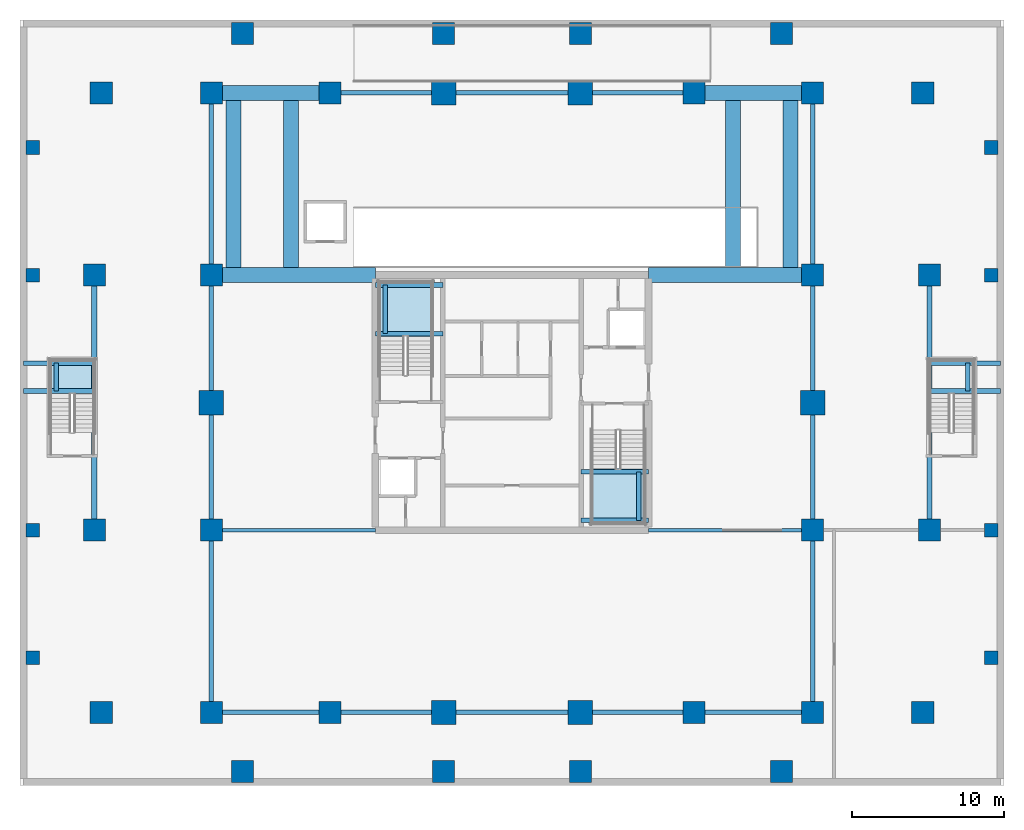
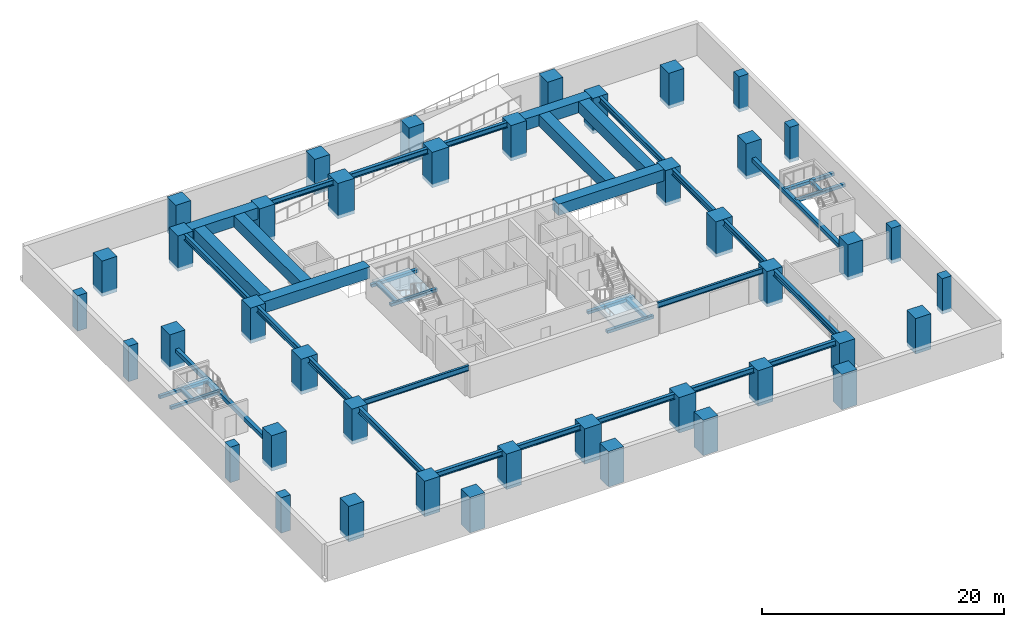
# One storey, part 1 of 10: 42 columns, 40 beams, 3 slabs, 3 elements without a shape of their own.
"""IFC4 building model written with IfcOpenShell, lengths in metres."""

from ifc_helpers import new_model, si_unit, direction, frame, origin, origin_2d, place, context, subcontext, project, spatial, polyline, rectangle, i_section, outline, extrude, source, transform, mapped, material, layer, layer_set, material_profile, profile_set, type_object, element, aggregate, save


model = new_model("IFC4")

# Units and contexts
model_context = context("Model", 3, precision=1e-05, world=origin(), true_north=direction((0.0, 1.0)))
body_context = subcontext(model_context, "Body", "Model", "MODEL_VIEW")
ifc_project = project(units=[si_unit("LENGTHUNIT", "METRE"), si_unit("AREAUNIT", "SQUARE_METRE"), si_unit("VOLUMEUNIT", "CUBIC_METRE"), si_unit("PLANEANGLEUNIT", "RADIAN"), si_unit("MASSUNIT", "GRAM", prefix="KILO")], contexts=[model_context])

# Site, building, storey
site_placement = place(None, origin())
site = spatial("IfcSite", under=ifc_project, at=site_placement, CompositionType="ELEMENT")
building_placement = place(site_placement, origin())
building = spatial("IfcBuilding", under=site, at=building_placement, Name="Serunith Strait Residences", CompositionType="ELEMENT")
storey_placement = place(building_placement, frame((0.0, 0.0, -3.60009765625)))
storey = spatial("IfcBuildingStorey", under=building, at=storey_placement, Name="B01", CompositionType="ELEMENT", Elevation=-3.60009765625)

# Columns
ifc_material_1 = material(Name="Concrete C70/85", Category="concrete")
ifc_material_profile_1 = material_profile(ifc_material_1, rectangle(XDim=0.89990234375, YDim=0.89990234375, at=origin_2d()), Name="RC 900x900")
ifc_profile_set_1 = profile_set([ifc_material_profile_1], Name="Concrete C70/85")
column_type_1 = type_object("IfcColumnType", Name="COL-RC-900", PredefinedType="COLUMN", material=ifc_profile_set_1)
shared_shape_1 = source(origin(), body_context, "Body", "SweptSolid", [
    extrude(rectangle(XDim=0.89990234375, YDim=0.89990234375, at=origin_2d()), origin(), (0.0, 0.0, 1.0), 3.580078125),
])
for number, where, z_axis, x_axis, name in (
    (1, (0.85009765625, 8.39990234375, -0.35986328125), (0.0, 0.0, 1.0), (1.0, 0.0, 0.0), "B01 Podium Column PC-W1"),
    (2, (0.85009765625, 16.800048828125, -0.35986328125), (0.0, 0.0, 1.0), (1.0, 0.0, 0.0), "B01 Podium Column PC-W2"),
    (3, (0.85009765625, 33.60009765625, -0.35986328125), (0.0, 0.0, 1.0), (1.0, 0.0, 0.0), "B01 Podium Column PC-W3"),
    (4, (0.85009765625, 42.0, -0.35986328125), (0.0, 0.0, 1.0), (1.0, 0.0, 0.0), "B01 Podium Column PC-W4"),
    (5, (63.949951171875, 8.39990234375, -0.35986328125), (0.0, 0.0, 1.0), (1.0, 0.0, 0.0), "B01 Podium Column PC-E1"),
    (6, (63.949951171875, 16.800048828125, -0.35986328125), (0.0, 0.0, 1.0), (1.0, 0.0, 0.0), "B01 Podium Column PC-E2"),
    (7, (63.949951171875, 33.60009765625, -0.35986328125), (0.0, 0.0, 1.0), (1.0, 0.0, 0.0), "B01 Podium Column PC-E3"),
    (8, (63.949951171875, 42.0, -0.35986328125), (0.0, 0.0, 1.0), (1.0, 0.0, 0.0), "B01 Podium Column PC-E4"),
):
    element("IfcColumn", number, at=place(storey_placement, frame(where, z_axis=z_axis, x_axis=x_axis)), inside=storey, type_object=column_type_1, Name=name, PredefinedType="COLUMN", context=body_context, shape_type="MappedRepresentation", body=[
        mapped(shared_shape_1, transform((0.0, 0.0, 0.0), scale=1.0)),
    ])
ifc_material_2 = material(Name="Concrete C90/105", Category="concrete")
ifc_material_profile_2 = material_profile(ifc_material_2, rectangle(XDim=1.449951171875, YDim=1.449951171875, at=origin_2d()), Name="RC 1450x1450")
ifc_profile_set_2 = profile_set([ifc_material_profile_2], Name="Concrete C90/105")
column_type_2 = type_object("IfcColumnType", Name="COL-RC-1450", PredefinedType="COLUMN", material=ifc_profile_set_2)
shared_shape_2 = source(origin(), body_context, "Body", "SweptSolid", [
    extrude(rectangle(XDim=1.449951171875, YDim=1.449951171875, at=origin_2d()), origin(), (0.0, 0.0, 1.0), 3.580078125),
])
for number, where, z_axis, x_axis, name in (
    (9, (12.60009765625, 4.800048828125, -0.35986328125), (0.0, 0.0, 1.0), (1.0, 0.0, 0.0), "B01 Podium Column PC-S1"),
    (10, (20.39990234375, 4.800048828125, -0.35986328125), (0.0, 0.0, 1.0), (1.0, 0.0, 0.0), "B01 Podium Column PC-S2"),
    (11, (44.39990234375, 4.800048828125, -0.35986328125), (0.0, 0.0, 1.0), (1.0, 0.0, 0.0), "B01 Podium Column PC-S5"),
    (12, (52.199951171875, 4.800048828125, -0.35986328125), (0.0, 0.0, 1.0), (1.0, 0.0, 0.0), "B01 Podium Column PC-S6"),
    (13, (12.60009765625, 45.60009765625, -0.35986328125), (0.0, 0.0, 1.0), (1.0, 0.0, 0.0), "B01 Podium Column PC-N1"),
    (14, (20.39990234375, 45.60009765625, -0.35986328125), (0.0, 0.0, 1.0), (1.0, 0.0, 0.0), "B01 Podium Column PC-N2"),
    (15, (44.39990234375, 45.60009765625, -0.35986328125), (0.0, 0.0, 1.0), (1.0, 0.0, 0.0), "B01 Podium Column PC-N5"),
    (16, (52.199951171875, 45.60009765625, -0.35986328125), (0.0, 0.0, 1.0), (1.0, 0.0, 0.0), "B01 Podium Column PC-N6"),
    (17, (12.60009765625, 16.800048828125, -0.35986328125), (0.0, 0.0, 1.0), (1.0, 0.0, 0.0), "B01 Podium Column PC-MW1"),
    (18, (12.60009765625, 33.60009765625, -0.35986328125), (0.0, 0.0, 1.0), (1.0, 0.0, 0.0), "B01 Podium Column PC-MW3"),
    (19, (52.199951171875, 16.800048828125, -0.35986328125), (0.0, 0.0, 1.0), (1.0, 0.0, 0.0), "B01 Podium Column PC-ME1"),
    (20, (52.199951171875, 33.60009765625, -0.35986328125), (0.0, 0.0, 1.0), (1.0, 0.0, 0.0), "B01 Podium Column PC-ME3"),
    (21, (14.64990234375, 0.89990234375, -0.35986328125), (0.0, 0.0, 1.0), (1.0, 0.0, 0.0), "B01 Podium Column PC-RS1"),
    (22, (27.89990234375, 0.89990234375, -0.35986328125), (0.0, 0.0, 1.0), (1.0, 0.0, 0.0), "B01 Podium Column PC-RS2"),
    (23, (36.89990234375, 0.89990234375, -0.35986328125), (0.0, 0.0, 1.0), (1.0, 0.0, 0.0), "B01 Podium Column PC-RS3"),
    (24, (50.14990234375, 0.89990234375, -0.35986328125), (0.0, 0.0, 1.0), (1.0, 0.0, 0.0), "B01 Podium Column PC-RS4"),
    (25, (14.64990234375, 49.5, -0.35986328125), (0.0, 0.0, 1.0), (1.0, 0.0, 0.0), "B01 Podium Column PC-RN1"),
    (26, (27.89990234375, 49.5, -0.35986328125), (0.0, 0.0, 1.0), (1.0, 0.0, 0.0), "B01 Podium Column PC-RN2"),
    (27, (36.89990234375, 49.5, -0.35986328125), (0.0, 0.0, 1.0), (1.0, 0.0, 0.0), "B01 Podium Column PC-RN3"),
    (28, (50.14990234375, 49.5, -0.35986328125), (0.0, 0.0, 1.0), (1.0, 0.0, 0.0), "B01 Podium Column PC-RN4"),
    (29, (4.89990234375, 16.800048828125, -0.35986328125), (0.0, 0.0, 1.0), (1.0, 0.0, 0.0), "B01 Podium Column PC-RW1"),
    (30, (4.89990234375, 33.60009765625, -0.35986328125), (0.0, 0.0, 1.0), (1.0, 0.0, 0.0), "B01 Podium Column PC-RW2"),
    (31, (59.89990234375, 16.800048828125, -0.35986328125), (0.0, 0.0, 1.0), (1.0, 0.0, 0.0), "B01 Podium Column PC-RE1"),
    (32, (59.89990234375, 33.60009765625, -0.35986328125), (0.0, 0.0, 1.0), (1.0, 0.0, 0.0), "B01 Podium Column PC-RE2"),
    (33, (5.35009765625, 4.800048828125, -0.35986328125), (0.0, 0.0, 1.0), (1.0, 0.0, 0.0), "B01 Podium Column PC-RWS"),
    (34, (5.35009765625, 45.60009765625, -0.35986328125), (0.0, 0.0, 1.0), (1.0, 0.0, 0.0), "B01 Podium Column PC-RWN"),
    (35, (59.449951171875, 4.800048828125, -0.35986328125), (0.0, 0.0, 1.0), (1.0, 0.0, 0.0), "B01 Podium Column PC-RES"),
    (36, (59.449951171875, 45.60009765625, -0.35986328125), (0.0, 0.0, 1.0), (1.0, 0.0, 0.0), "B01 Podium Column PC-REN"),
):
    element("IfcColumn", number, at=place(storey_placement, frame(where, z_axis=z_axis, x_axis=x_axis)), inside=storey, type_object=column_type_2, Name=name, PredefinedType="COLUMN", context=body_context, shape_type="MappedRepresentation", body=[
        mapped(shared_shape_2, transform((0.0, 0.0, 0.0), scale=1.0)),
    ])
ifc_material_profile_3 = material_profile(ifc_material_2, rectangle(XDim=1.60009765625, YDim=1.60009765625, at=origin_2d()), Name="RC 1600x1600")
ifc_profile_set_3 = profile_set([ifc_material_profile_3], Name="Concrete C90/105")
column_type_3 = type_object("IfcColumnType", Name="COL-RC-1600", PredefinedType="COLUMN", material=ifc_profile_set_3)
shared_shape_3 = source(origin(), body_context, "Body", "SweptSolid", [
    extrude(rectangle(XDim=1.60009765625, YDim=1.60009765625, at=origin_2d()), origin(), (0.0, 0.0, 1.0), 3.580078125),
])
for number, where, z_axis, x_axis, name in (
    (37, (27.89990234375, 4.800048828125, -0.35986328125), (0.0, 0.0, 1.0), (1.0, 0.0, 0.0), "B01 Podium Column PC-S3"),
    (38, (36.89990234375, 4.800048828125, -0.35986328125), (0.0, 0.0, 1.0), (1.0, 0.0, 0.0), "B01 Podium Column PC-S4"),
    (39, (27.89990234375, 45.60009765625, -0.35986328125), (0.0, 0.0, 1.0), (1.0, 0.0, 0.0), "B01 Podium Column PC-N3"),
    (40, (36.89990234375, 45.60009765625, -0.35986328125), (0.0, 0.0, 1.0), (1.0, 0.0, 0.0), "B01 Podium Column PC-N4"),
    (41, (12.60009765625, 25.199951171875, -0.35986328125), (0.0, 0.0, 1.0), (1.0, 0.0, 0.0), "B01 Podium Column PC-MW2"),
    (42, (52.199951171875, 25.199951171875, -0.35986328125), (0.0, 0.0, 1.0), (1.0, 0.0, 0.0), "B01 Podium Column PC-ME2"),
):
    element("IfcColumn", number, at=place(storey_placement, frame(where, z_axis=z_axis, x_axis=x_axis)), inside=storey, type_object=column_type_3, Name=name, PredefinedType="COLUMN", context=body_context, shape_type="MappedRepresentation", body=[
        mapped(shared_shape_3, transform((0.0, 0.0, 0.0), scale=1.0)),
    ])

# Beams
ifc_material_3 = material(Name="Steel S355J2", Category="steel")
ifc_material_profile_4 = material_profile(ifc_material_3, i_section(OverallWidth=0.300048828125, OverallDepth=0.550048828125, WebThickness=0.014892578125, FlangeThickness=0.029052734375, FilletRadius=0.027099609375, at=origin_2d()), Name="HEB 550")
ifc_profile_set_4 = profile_set([ifc_material_profile_4], Name="Steel S355J2")
beam_type_1 = type_object("IfcBeamType", Name="BM-HEB550", PredefinedType="BEAM", material=ifc_profile_set_4)
shared_shape_4 = source(origin(), body_context, "Body", "SweptSolid", [
    extrude(i_section(OverallWidth=0.300048828125, OverallDepth=0.550048828125, WebThickness=0.014892578125, FlangeThickness=0.029052734375, FilletRadius=0.027099609375, at=origin_2d()), origin(), (0.0, 0.0, 1.0), 7.7998046875),
])
beam_1_placement = place(storey_placement, frame((12.60009765625, 4.800048828125, 2.942138671875), z_axis=(1.0, 0.0, 0.0), x_axis=(0.0, 1.0, 0.0)))
element("IfcBeam", 43, at=beam_1_placement, inside=storey, type_object=beam_type_1, Name="BM-B01-01", PredefinedType="BEAM", context=body_context, shape_type="MappedRepresentation", body=[
    mapped(shared_shape_4, transform((0.0, 0.0, 0.0), scale=1.0)),
])
shared_shape_5 = source(origin(), body_context, "Body", "SweptSolid", [
    extrude(i_section(OverallWidth=0.300048828125, OverallDepth=0.550048828125, WebThickness=0.014892578125, FlangeThickness=0.029052734375, FilletRadius=0.027099609375, at=origin_2d()), origin(), (0.0, 0.0, 1.0), 7.5),
])
for number, where, z_axis, x_axis, name in (
    (44, (20.39990234375, 4.800048828125, 2.942138671875), (1.0, 0.0, 0.0), (0.0, 1.0, 0.0), "BM-B01-02"),
    (45, (36.89990234375, 4.800048828125, 2.942138671875), (1.0, 0.0, 0.0), (0.0, 1.0, 0.0), "BM-B01-04"),
    (46, (20.39990234375, 45.60009765625, 2.942138671875), (1.0, 0.0, 0.0), (0.0, 1.0, 0.0), "BM-B01-07"),
    (47, (36.89990234375, 45.60009765625, 2.942138671875), (1.0, 0.0, 0.0), (0.0, 1.0, 0.0), "BM-B01-09"),
):
    element("IfcBeam", number, at=place(storey_placement, frame(where, z_axis=z_axis, x_axis=x_axis)), inside=storey, type_object=beam_type_1, Name=name, PredefinedType="BEAM", context=body_context, shape_type="MappedRepresentation", body=[
        mapped(shared_shape_5, transform((0.0, 0.0, 0.0), scale=1.0)),
    ])
shared_shape_6 = source(origin(), body_context, "Body", "SweptSolid", [
    extrude(i_section(OverallWidth=0.300048828125, OverallDepth=0.550048828125, WebThickness=0.014892578125, FlangeThickness=0.029052734375, FilletRadius=0.027099609375, at=origin_2d()), origin(), (0.0, 0.0, 1.0), 9.0),
])
for number, where, z_axis, x_axis, name in (
    (48, (27.89990234375, 4.800048828125, 2.942138671875), (1.0, 0.0, 0.0), (0.0, 1.0, 0.0), "BM-B01-03"),
    (49, (27.89990234375, 45.60009765625, 2.942138671875), (1.0, 0.0, 0.0), (0.0, 1.0, 0.0), "BM-B01-08"),
):
    element("IfcBeam", number, at=place(storey_placement, frame(where, z_axis=z_axis, x_axis=x_axis)), inside=storey, type_object=beam_type_1, Name=name, PredefinedType="BEAM", context=body_context, shape_type="MappedRepresentation", body=[
        mapped(shared_shape_6, transform((0.0, 0.0, 0.0), scale=1.0)),
    ])
shared_shape_7 = source(origin(), body_context, "Body", "SweptSolid", [
    extrude(i_section(OverallWidth=0.300048828125, OverallDepth=0.550048828125, WebThickness=0.014892578125, FlangeThickness=0.029052734375, FilletRadius=0.027099609375, at=origin_2d()), origin(), (0.0, 0.0, 1.0), 7.800048828125),
])
beam_2_placement = place(storey_placement, frame((44.39990234375, 4.800048828125, 2.942138671875), z_axis=(1.0, 0.0, 0.0), x_axis=(0.0, 1.0, 0.0)))
element("IfcBeam", 50, at=beam_2_placement, inside=storey, type_object=beam_type_1, Name="BM-B01-05", PredefinedType="BEAM", context=body_context, shape_type="MappedRepresentation", body=[
    mapped(shared_shape_7, transform((0.0, 0.0, 0.0), scale=1.0)),
])
ifc_material_profile_5 = material_profile(ifc_material_3, i_section(OverallWidth=0.300048828125, OverallDepth=0.60009765625, WebThickness=0.015380859375, FlangeThickness=0.030029296875, FilletRadius=0.027099609375, at=origin_2d()), Name="HEB 600")
ifc_profile_set_5 = profile_set([ifc_material_profile_5], Name="Steel S355J2")
beam_type_2 = type_object("IfcBeamType", Name="BM-HEB600", PredefinedType="BEAM", material=ifc_profile_set_5)
shared_shape_8 = source(origin(), body_context, "Body", "SweptSolid", [
    extrude(i_section(OverallWidth=0.300048828125, OverallDepth=0.60009765625, WebThickness=0.015380859375, FlangeThickness=0.030029296875, FilletRadius=0.027099609375, at=origin_2d()), origin(), (0.0, 0.0, 1.0), 12.0),
])
for number, where, z_axis, x_axis, name in (
    (51, (12.60009765625, 4.800048828125, 2.9169921875), (0.0, 1.0, 0.0), (-1.0, 0.0, 0.0), "BM-B01-11"),
    (52, (12.60009765625, 33.60009765625, 2.9169921875), (0.0, 1.0, 0.0), (-1.0, 0.0, 0.0), "BM-B01-14"),
    (53, (52.199951171875, 4.800048828125, 2.9169921875), (0.0, 1.0, 0.0), (-1.0, 0.0, 0.0), "BM-B01-15"),
    (54, (52.199951171875, 33.60009765625, 2.9169921875), (0.0, 1.0, 0.0), (-1.0, 0.0, 0.0), "BM-B01-18"),
):
    element("IfcBeam", number, at=place(storey_placement, frame(where, z_axis=z_axis, x_axis=x_axis)), inside=storey, type_object=beam_type_2, Name=name, PredefinedType="BEAM", context=body_context, shape_type="MappedRepresentation", body=[
        mapped(shared_shape_8, transform((0.0, 0.0, 0.0), scale=1.0)),
    ])
shared_shape_9 = source(origin(), body_context, "Body", "SweptSolid", [
    extrude(i_section(OverallWidth=0.300048828125, OverallDepth=0.60009765625, WebThickness=0.015380859375, FlangeThickness=0.030029296875, FilletRadius=0.027099609375, at=origin_2d()), origin(), (0.0, 0.0, 1.0), 8.39990234375),
])
for number, where, z_axis, x_axis, name in (
    (55, (12.60009765625, 16.800048828125, 2.9169921875), (0.0, 1.0, 0.0), (-1.0, 0.0, 0.0), "BM-B01-12"),
    (56, (52.199951171875, 16.800048828125, 2.9169921875), (0.0, 1.0, 0.0), (-1.0, 0.0, 0.0), "BM-B01-16"),
):
    element("IfcBeam", number, at=place(storey_placement, frame(where, z_axis=z_axis, x_axis=x_axis)), inside=storey, type_object=beam_type_2, Name=name, PredefinedType="BEAM", context=body_context, shape_type="MappedRepresentation", body=[
        mapped(shared_shape_9, transform((0.0, 0.0, 0.0), scale=1.0)),
    ])
shared_shape_10 = source(origin(), body_context, "Body", "SweptSolid", [
    extrude(i_section(OverallWidth=0.300048828125, OverallDepth=0.60009765625, WebThickness=0.015380859375, FlangeThickness=0.030029296875, FilletRadius=0.027099609375, at=origin_2d()), origin(), (0.0, 0.0, 1.0), 8.400146484375),
])
for number, where, z_axis, x_axis, name in (
    (57, (12.60009765625, 25.199951171875, 2.9169921875), (0.0, 1.0, 0.0), (-1.0, 0.0, 0.0), "BM-B01-13"),
    (58, (52.199951171875, 25.199951171875, 2.9169921875), (0.0, 1.0, 0.0), (-1.0, 0.0, 0.0), "BM-B01-17"),
):
    element("IfcBeam", number, at=place(storey_placement, frame(where, z_axis=z_axis, x_axis=x_axis)), inside=storey, type_object=beam_type_2, Name=name, PredefinedType="BEAM", context=body_context, shape_type="MappedRepresentation", body=[
        mapped(shared_shape_10, transform((0.0, 0.0, 0.0), scale=1.0)),
    ])
ifc_material_profile_6 = material_profile(ifc_material_3, i_section(OverallWidth=0.2099609375, OverallDepth=0.550048828125, WebThickness=0.010986328125, FlangeThickness=0.01708984375, FilletRadius=0.02392578125, at=origin_2d()), Name="IPE 550")
ifc_profile_set_6 = profile_set([ifc_material_profile_6], Name="Steel S355J2")
beam_type_3 = type_object("IfcBeamType", Name="BM-IPE550", PredefinedType="BEAM", material=ifc_profile_set_6)
shared_shape_11 = source(origin(), body_context, "Body", "SweptSolid", [
    extrude(i_section(OverallWidth=0.2099609375, OverallDepth=0.550048828125, WebThickness=0.010986328125, FlangeThickness=0.01708984375, FilletRadius=0.02392578125, at=origin_2d()), origin(), (0.0, 0.0, 1.0), 10.7998046875),
])
beam_3_placement = place(storey_placement, frame((12.60009765625, 16.800048828125, 2.942138671875), z_axis=(1.0, 0.0, 0.0), x_axis=(0.0, 1.0, 0.0)))
element("IfcBeam", 59, at=beam_3_placement, inside=storey, type_object=beam_type_3, Name="BM-B01-19", PredefinedType="BEAM", context=body_context, shape_type="MappedRepresentation", body=[
    mapped(shared_shape_11, transform((0.0, 0.0, 0.0), scale=1.0)),
])
shared_shape_12 = source(origin(), body_context, "Body", "SweptSolid", [
    extrude(i_section(OverallWidth=0.2099609375, OverallDepth=0.550048828125, WebThickness=0.010986328125, FlangeThickness=0.01708984375, FilletRadius=0.02392578125, at=origin_2d()), origin(), (0.0, 0.0, 1.0), 10.800048828125),
])
beam_4_placement = place(storey_placement, frame((41.39990234375, 16.800048828125, 2.942138671875), z_axis=(1.0, 0.0, 0.0), x_axis=(0.0, 1.0, 0.0)))
element("IfcBeam", 60, at=beam_4_placement, inside=storey, type_object=beam_type_3, Name="BM-B01-20", PredefinedType="BEAM", context=body_context, shape_type="MappedRepresentation", body=[
    mapped(shared_shape_12, transform((0.0, 0.0, 0.0), scale=1.0)),
])
ifc_material_4 = material(Name="Concrete C80/95", Category="concrete")
ifc_material_profile_7 = material_profile(ifc_material_4, rectangle(XDim=1.0, YDim=1.14990234375, at=origin_2d()), Name="RC 1000x1150")
ifc_profile_set_7 = profile_set([ifc_material_profile_7], Name="Concrete C80/95")
beam_type_4 = type_object("IfcBeamType", Name="BM-XST-900x1050", PredefinedType="BEAM", material=ifc_profile_set_7)
shared_shape_13 = source(origin(), body_context, "Body", "SweptSolid", [
    extrude(rectangle(XDim=1.0, YDim=1.14990234375, at=origin_2d()), origin(), (0.0, 0.0, 1.0), 7.7998046875),
])
beam_5_placement = place(storey_placement, frame((12.60009765625, 45.60009765625, 2.64501953125), z_axis=(1.0, 0.0, 0.0), x_axis=(0.0, 1.0, 0.0)))
element("IfcBeam", 61, at=beam_5_placement, inside=storey, type_object=beam_type_4, Name="BM-B01-06", PredefinedType="BEAM", context=body_context, shape_type="MappedRepresentation", body=[
    mapped(shared_shape_13, transform((0.0, 0.0, 0.0), scale=1.0)),
])
shared_shape_14 = source(origin(), body_context, "Body", "SweptSolid", [
    extrude(rectangle(XDim=1.0, YDim=1.14990234375, at=origin_2d()), origin(), (0.0, 0.0, 1.0), 7.800048828125),
])
beam_6_placement = place(storey_placement, frame((44.39990234375, 45.60009765625, 2.64501953125), z_axis=(1.0, 0.0, 0.0), x_axis=(0.0, 1.0, 0.0)))
element("IfcBeam", 62, at=beam_6_placement, inside=storey, type_object=beam_type_4, Name="BM-B01-10", PredefinedType="BEAM", context=body_context, shape_type="MappedRepresentation", body=[
    mapped(shared_shape_14, transform((0.0, 0.0, 0.0), scale=1.0)),
])
shared_shape_15 = source(origin(), body_context, "Body", "SweptSolid", [
    extrude(rectangle(XDim=1.0, YDim=1.14990234375, at=origin_2d()), origin(), (0.0, 0.0, 1.0), 10.7998046875),
])
beam_7_placement = place(storey_placement, frame((12.60009765625, 33.60009765625, 2.64501953125), z_axis=(1.0, 0.0, 0.0), x_axis=(0.0, 1.0, 0.0)))
element("IfcBeam", 63, at=beam_7_placement, inside=storey, type_object=beam_type_4, Name="BM-B01-21", PredefinedType="BEAM", context=body_context, shape_type="MappedRepresentation", body=[
    mapped(shared_shape_15, transform((0.0, 0.0, 0.0), scale=1.0)),
])
shared_shape_16 = source(origin(), body_context, "Body", "SweptSolid", [
    extrude(rectangle(XDim=1.0, YDim=1.14990234375, at=origin_2d()), origin(), (0.0, 0.0, 1.0), 10.800048828125),
])
beam_8_placement = place(storey_placement, frame((41.39990234375, 33.60009765625, 2.64501953125), z_axis=(1.0, 0.0, 0.0), x_axis=(0.0, 1.0, 0.0)))
element("IfcBeam", 64, at=beam_8_placement, inside=storey, type_object=beam_type_4, Name="BM-B01-22", PredefinedType="BEAM", context=body_context, shape_type="MappedRepresentation", body=[
    mapped(shared_shape_16, transform((0.0, 0.0, 0.0), scale=1.0)),
])
shared_shape_17 = source(origin(), body_context, "Body", "SweptSolid", [
    extrude(rectangle(XDim=1.0, YDim=1.14990234375, at=origin_2d()), origin(), (0.0, 0.0, 1.0), 12.0),
])
for number, where, z_axis, x_axis, name in (
    (65, (14.050048828125, 33.60009765625, 2.64501953125), (0.0, 1.0, 0.0), (-1.0, 0.0, 0.0), "BM-B01-23"),
    (66, (17.85009765625, 33.60009765625, 2.64501953125), (0.0, 1.0, 0.0), (-1.0, 0.0, 0.0), "BM-B01-24"),
    (67, (46.949951171875, 33.60009765625, 2.64501953125), (0.0, 1.0, 0.0), (-1.0, 0.0, 0.0), "BM-B01-25"),
    (68, (50.75, 33.60009765625, 2.64501953125), (0.0, 1.0, 0.0), (-1.0, 0.0, 0.0), "BM-B01-26"),
):
    element("IfcBeam", number, at=place(storey_placement, frame(where, z_axis=z_axis, x_axis=x_axis)), inside=storey, type_object=beam_type_4, Name=name, PredefinedType="BEAM", context=body_context, shape_type="MappedRepresentation", body=[
        mapped(shared_shape_17, transform((0.0, 0.0, 0.0), scale=1.0)),
    ])
ifc_material_5 = material(Name="Concrete C60/75", Category="concrete")
ifc_material_profile_8 = material_profile(ifc_material_5, rectangle(XDim=0.300048828125, YDim=0.300048828125, at=origin_2d()), Name="RC 300x300")
ifc_profile_set_8 = profile_set([ifc_material_profile_8], Name="Concrete C60/75")
beam_type_5 = type_object("IfcBeamType", Name="BM-LAND-300x300", PredefinedType="BEAM", material=ifc_profile_set_8)
shared_shape_18 = source(origin(), body_context, "Body", "SweptSolid", [
    extrude(rectangle(XDim=0.300048828125, YDim=0.300048828125, at=origin_2d()), origin(), (0.0, 0.0, 1.0), 4.4501953125),
])
for number, where, z_axis, x_axis, name in (
    (69, (23.39990234375, 29.75, 1.4501953125), (1.0, 0.0, 0.0), (0.0, 1.0, 0.0), "B01 ST-1 Landing Support Beam 1"),
    (70, (23.39990234375, 32.949951171875, 1.4501953125), (1.0, 0.0, 0.0), (0.0, 1.0, 0.0), "B01 ST-1 Landing Support Beam 2"),
):
    element("IfcBeam", number, at=place(storey_placement, frame(where, z_axis=z_axis, x_axis=x_axis)), inside=storey, type_object=beam_type_5, Name=name, PredefinedType="BEAM", context=body_context, shape_type="MappedRepresentation", body=[
        mapped(shared_shape_18, transform((0.0, 0.0, 0.0), scale=1.0)),
    ])
shared_shape_19 = source(origin(), body_context, "Body", "SweptSolid", [
    extrude(rectangle(XDim=0.300048828125, YDim=0.300048828125, at=origin_2d()), origin(), (0.0, 0.0, 1.0), 3.199951171875),
])
for number, where, z_axis, x_axis, name in (
    (71, (24.050048828125, 29.75, 1.4501953125), (0.0, 1.0, 0.0), (-1.0, 0.0, 0.0), "B01 ST-1 Landing Transverse Tie Beam"),
    (72, (40.75, 17.449951171875, 1.4501953125), (0.0, 1.0, 0.0), (-1.0, 0.0, 0.0), "B01 ST-2 Landing Transverse Tie Beam"),
):
    element("IfcBeam", number, at=place(storey_placement, frame(where, z_axis=z_axis, x_axis=x_axis)), inside=storey, type_object=beam_type_5, Name=name, PredefinedType="BEAM", context=body_context, shape_type="MappedRepresentation", body=[
        mapped(shared_shape_19, transform((0.0, 0.0, 0.0), scale=1.0)),
    ])
shared_shape_20 = source(origin(), body_context, "Body", "SweptSolid", [
    extrude(rectangle(XDim=0.300048828125, YDim=0.300048828125, at=origin_2d()), origin(), (0.0, 0.0, 1.0), 4.449951171875),
])
for number, where, z_axis, x_axis, name in (
    (73, (36.949951171875, 17.449951171875, 1.4501953125), (1.0, 0.0, 0.0), (0.0, 1.0, 0.0), "B01 ST-2 Landing Support Beam 1"),
    (74, (36.949951171875, 20.64990234375, 1.4501953125), (1.0, 0.0, 0.0), (0.0, 1.0, 0.0), "B01 ST-2 Landing Support Beam 2"),
):
    element("IfcBeam", number, at=place(storey_placement, frame(where, z_axis=z_axis, x_axis=x_axis)), inside=storey, type_object=beam_type_5, Name=name, PredefinedType="BEAM", context=body_context, shape_type="MappedRepresentation", body=[
        mapped(shared_shape_20, transform((0.0, 0.0, 0.0), scale=1.0)),
    ])
ifc_material_profile_9 = material_profile(ifc_material_5, rectangle(XDim=0.35009765625, YDim=0.39990234375, at=origin_2d()), Name="RC 350x400")
ifc_profile_set_9 = profile_set([ifc_material_profile_9], Name="Concrete C60/75")
beam_type_6 = type_object("IfcBeamType", Name="BM-LAND-350x400", PredefinedType="BEAM", material=ifc_profile_set_9)
shared_shape_21 = source(origin(), body_context, "Body", "SweptSolid", [
    extrude(rectangle(XDim=0.35009765625, YDim=0.39990234375, at=origin_2d()), origin(), (0.0, 0.0, 1.0), 16.800048828125),
])
for number, where, z_axis, x_axis, name in (
    (75, (4.89990234375, 16.800048828125, 1.400146484375), (0.0, 1.0, 0.0), (-1.0, 0.0, 0.0), "B01 ST-5 Landing Trimmer Girder"),
    (76, (59.89990234375, 16.800048828125, 1.400146484375), (0.0, 1.0, 0.0), (-1.0, 0.0, 0.0), "B01 ST-6 Landing Trimmer Girder"),
):
    element("IfcBeam", number, at=place(storey_placement, frame(where, z_axis=z_axis, x_axis=x_axis)), inside=storey, type_object=beam_type_6, Name=name, PredefinedType="BEAM", context=body_context, shape_type="MappedRepresentation", body=[
        mapped(shared_shape_21, transform((0.0, 0.0, 0.0), scale=1.0)),
    ])
shared_shape_22 = source(origin(), body_context, "Body", "SweptSolid", [
    extrude(rectangle(XDim=0.300048828125, YDim=0.300048828125, at=origin_2d()), origin(), (0.0, 0.0, 1.0), 4.6748046875),
])
for number, where, z_axis, x_axis, name in (
    (77, (0.22509765625, 25.969970703125, 1.4501953125), (1.0, 0.0, 0.0), (0.0, 1.0, 0.0), "B01 ST-5 Landing Support Beam 1"),
    (78, (0.22509765625, 27.800048828125, 1.4501953125), (1.0, 0.0, 0.0), (0.0, 1.0, 0.0), "B01 ST-5 Landing Support Beam 2"),
):
    element("IfcBeam", number, at=place(storey_placement, frame(where, z_axis=z_axis, x_axis=x_axis)), inside=storey, type_object=beam_type_5, Name=name, PredefinedType="BEAM", context=body_context, shape_type="MappedRepresentation", body=[
        mapped(shared_shape_22, transform((0.0, 0.0, 0.0), scale=1.0)),
    ])
shared_shape_23 = source(origin(), body_context, "Body", "SweptSolid", [
    extrude(rectangle(XDim=0.300048828125, YDim=0.300048828125, at=origin_2d()), origin(), (0.0, 0.0, 1.0), 1.830078125),
])
for number, where, z_axis, x_axis, name in (
    (79, (2.39990234375, 25.969970703125, 1.4501953125), (0.0, 1.0, 0.0), (-1.0, 0.0, 0.0), "B01 ST-5 Landing Transverse Tie Beam"),
    (80, (62.39990234375, 25.969970703125, 1.4501953125), (0.0, 1.0, 0.0), (-1.0, 0.0, 0.0), "B01 ST-6 Landing Transverse Tie Beam"),
):
    element("IfcBeam", number, at=place(storey_placement, frame(where, z_axis=z_axis, x_axis=x_axis)), inside=storey, type_object=beam_type_5, Name=name, PredefinedType="BEAM", context=body_context, shape_type="MappedRepresentation", body=[
        mapped(shared_shape_23, transform((0.0, 0.0, 0.0), scale=1.0)),
    ])
shared_shape_24 = source(origin(), body_context, "Body", "SweptSolid", [
    extrude(rectangle(XDim=0.300048828125, YDim=0.300048828125, at=origin_2d()), origin(), (0.0, 0.0, 1.0), 4.675048828125),
])
for number, where, z_axis, x_axis, name in (
    (81, (59.89990234375, 25.969970703125, 1.4501953125), (1.0, 0.0, 0.0), (0.0, 1.0, 0.0), "B01 ST-6 Landing Support Beam 1"),
    (82, (59.89990234375, 27.800048828125, 1.4501953125), (1.0, 0.0, 0.0), (0.0, 1.0, 0.0), "B01 ST-6 Landing Support Beam 2"),
):
    element("IfcBeam", number, at=place(storey_placement, frame(where, z_axis=z_axis, x_axis=x_axis)), inside=storey, type_object=beam_type_5, Name=name, PredefinedType="BEAM", context=body_context, shape_type="MappedRepresentation", body=[
        mapped(shared_shape_24, transform((0.0, 0.0, 0.0), scale=1.0)),
    ])

# Stair, slab
ifc_material_6 = material(Name="Concrete C50/60", Category="concrete")
stair_type_1 = type_object("IfcStairType", Name="STR-CORE-1", PredefinedType="HALF_TURN_STAIR", material=ifc_material_6)
stair_1_placement = place(storey_placement, origin())
stair_1 = element("IfcStair", 83, at=stair_1_placement, inside=storey, type_object=stair_type_1, Name="B01 Protected Escape Stair ST-1", PredefinedType="HALF_TURN_STAIR")
ifc_layer = layer(ifc_material_6, 0.199951171875, Name="Concrete C50/60")
ifc_layer_set = layer_set([ifc_layer], Name="Concrete C50/60")
slab_type = type_object("IfcSlabType", Name="SLB-LAND-200", PredefinedType="LANDING", material=ifc_layer_set)
slab_1_placement = place(storey_placement, frame((0.0, 0.0, 1.60009765625)))
slab_1 = element("IfcSlab", 84, at=slab_1_placement, type_object=slab_type, Name="ST-1 landing 1", PredefinedType="LANDING", context=body_context, shape_type="SweptSolid", body=[
    extrude(outline(polyline([(27.14990234375, 29.550048828125), (27.14990234375, 33.14990234375), (23.64990234375, 33.14990234375), (23.64990234375, 29.550048828125), (27.14990234375, 29.550048828125)])), origin(), (0.0, 0.0, 1.0), 0.199951171875),
])
aggregate(stair_1, [slab_1])

stair_type_2 = type_object("IfcStairType", Name="STR-CORE-2", PredefinedType="HALF_TURN_STAIR", material=ifc_material_6)
stair_2_placement = place(storey_placement, origin())
stair_2 = element("IfcStair", 85, at=stair_2_placement, inside=storey, type_object=stair_type_2, Name="B01 Protected Escape Stair ST-2", PredefinedType="HALF_TURN_STAIR")
slab_2_placement = place(storey_placement, frame((0.0, 0.0, 1.60009765625)))
slab_2 = element("IfcSlab", 86, at=slab_2_placement, type_object=slab_type, Name="ST-2 landing 1", PredefinedType="LANDING", context=body_context, shape_type="SweptSolid", body=[
    extrude(outline(polyline([(37.64990234375, 20.85009765625), (37.64990234375, 17.25), (41.14990234375, 17.25), (41.14990234375, 20.85009765625), (37.64990234375, 20.85009765625)])), origin(), (0.0, 0.0, 1.0), 0.199951171875),
])
aggregate(stair_2, [slab_2])

stair_type_3 = type_object("IfcStairType", Name="STR-BSMT-5", PredefinedType="HALF_TURN_STAIR", material=ifc_material_6)
stair_3_placement = place(storey_placement, origin())
stair_3 = element("IfcStair", 87, at=stair_3_placement, inside=storey, type_object=stair_type_3, Name="B01 Basement Escape Stair ST-5", PredefinedType="HALF_TURN_STAIR")
slab_3_placement = place(storey_placement, frame((0.0, 0.0, 1.60009765625)))
slab_3 = element("IfcSlab", 88, at=slab_3_placement, type_object=slab_type, Name="ST-5 landing 1", PredefinedType="LANDING", context=body_context, shape_type="SweptSolid", body=[
    extrude(outline(polyline([(4.89990234375, 25.77001953125), (4.89990234375, 28.0), (2.0, 28.0), (2.0, 25.77001953125), (4.89990234375, 25.77001953125)])), origin(), (0.0, 0.0, 1.0), 0.199951171875),
])
aggregate(stair_3, [slab_3])

save(model, "model.ifc")
